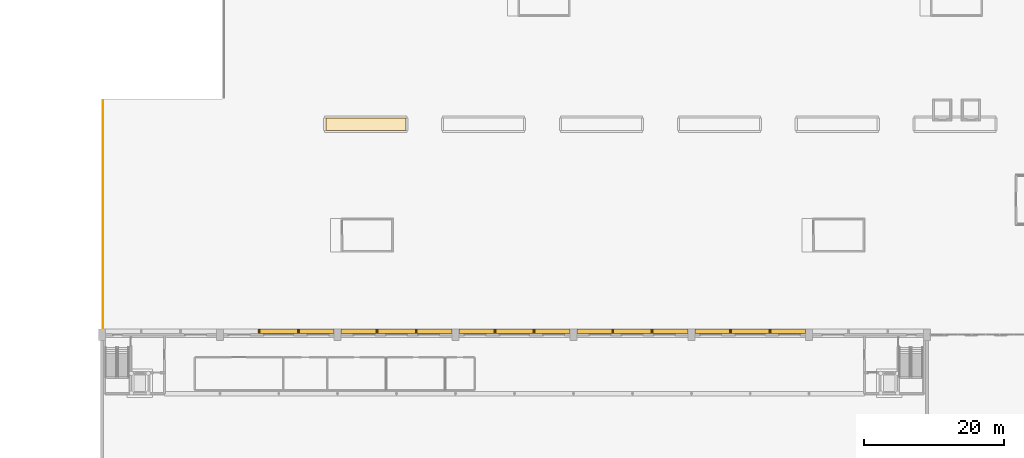
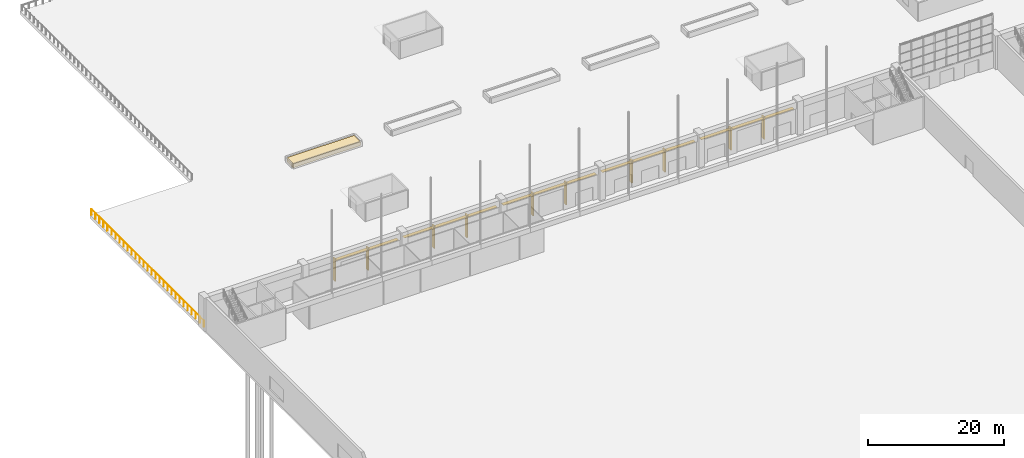
# One storey, part 199 of 210: 14 shading devices, 11 coverings, 1 railing.
"""IFC4 building model written with IfcOpenShell, lengths in metres."""

from ifc_helpers import new_model, si_unit, direction, frame, origin, origin_2d, place, context, subcontext, project, spatial, rectangle, circle, extrude, material, layer, layer_set, type_object, element, save


model = new_model("IFC4")

# Units and contexts
model_context = context("Model", 3, precision=1e-05, world=origin(), true_north=direction((0.0, 1.0)))
body_context = subcontext(model_context, "Body", "Model", "MODEL_VIEW")
ifc_project = project(units=[si_unit("LENGTHUNIT", "METRE"), si_unit("AREAUNIT", "SQUARE_METRE"), si_unit("VOLUMEUNIT", "CUBIC_METRE"), si_unit("PLANEANGLEUNIT", "RADIAN"), si_unit("MASSUNIT", "GRAM", prefix="KILO")], contexts=[model_context])

# Site, building, storey
site_placement = place(None, origin())
site = spatial("IfcSite", under=ifc_project, at=site_placement, CompositionType="ELEMENT")
building_placement = place(site_placement, origin())
building = spatial("IfcBuilding", under=site, at=building_placement, Name="Rain Tree Exposition and Congress Centre", CompositionType="ELEMENT")
storey_placement = place(building_placement, origin())
storey = spatial("IfcBuildingStorey", under=building, at=storey_placement, Name="L00", CompositionType="ELEMENT", Elevation=0.0)

# Railing
ifc_material_1 = material(Name="Stainless steel", Category="steel")
railing_type = type_object("IfcRailingType", Name="Guard 1100 stainless", PredefinedType="GUARDRAIL", material=ifc_material_1)
railing_placement = place(storey_placement, frame((8.550048828125, 202.0, 0.0)))
element("IfcRailing", 1, at=railing_placement, inside=storey, type_object=railing_type, Name="North deck edge guard apron-west", PredefinedType="GUARDRAIL", context=body_context, shape_type="SweptSolid", body=[
    extrude(circle(Radius=0.02490234375, at=origin_2d()), frame((0.0, 0.0, 1.0751953125), z_axis=(0.0, 1.0, 0.0), x_axis=(-1.0, 0.0, 0.0)), (0.0, 0.0, 1.0), 33.0),
    extrude(circle(Radius=0.02490234375, at=origin_2d()), origin(), (0.0, 0.0, 1.0), 1.050048828125),
    extrude(circle(Radius=0.02490234375, at=origin_2d()), frame((0.0, 1.178466796875, 0.0)), (0.0, 0.0, 1.0), 1.050048828125),
    extrude(circle(Radius=0.02490234375, at=origin_2d()), frame((0.0, 2.357177734375, 0.0)), (0.0, 0.0, 1.0), 1.050048828125),
    extrude(circle(Radius=0.02490234375, at=origin_2d()), frame((0.0, 3.53564453125, 0.0)), (0.0, 0.0, 1.0), 1.050048828125),
    extrude(circle(Radius=0.02490234375, at=origin_2d()), frame((0.0, 4.71435546875, 0.0)), (0.0, 0.0, 1.0), 1.050048828125),
    extrude(circle(Radius=0.02490234375, at=origin_2d()), frame((0.0, 5.892822265625, 0.0)), (0.0, 0.0, 1.0), 1.050048828125),
    extrude(circle(Radius=0.02490234375, at=origin_2d()), frame((0.0, 7.071533203125, 0.0)), (0.0, 0.0, 1.0), 1.050048828125),
    extrude(circle(Radius=0.02490234375, at=origin_2d()), frame((0.0, 8.25, 0.0)), (0.0, 0.0, 1.0), 1.050048828125),
    extrude(circle(Radius=0.02490234375, at=origin_2d()), frame((0.0, 9.428466796875, 0.0)), (0.0, 0.0, 1.0), 1.050048828125),
    extrude(circle(Radius=0.02490234375, at=origin_2d()), frame((0.0, 10.607177734375, 0.0)), (0.0, 0.0, 1.0), 1.050048828125),
    extrude(circle(Radius=0.02490234375, at=origin_2d()), frame((0.0, 11.78564453125, 0.0)), (0.0, 0.0, 1.0), 1.050048828125),
    extrude(circle(Radius=0.02490234375, at=origin_2d()), frame((0.0, 12.96435546875, 0.0)), (0.0, 0.0, 1.0), 1.050048828125),
    extrude(circle(Radius=0.02490234375, at=origin_2d()), frame((0.0, 14.142822265625, 0.0)), (0.0, 0.0, 1.0), 1.050048828125),
    extrude(circle(Radius=0.02490234375, at=origin_2d()), frame((0.0, 15.321533203125, 0.0)), (0.0, 0.0, 1.0), 1.050048828125),
    extrude(circle(Radius=0.02490234375, at=origin_2d()), frame((0.0, 16.5, 0.0)), (0.0, 0.0, 1.0), 1.050048828125),
    extrude(circle(Radius=0.02490234375, at=origin_2d()), frame((0.0, 17.678466796875, 0.0)), (0.0, 0.0, 1.0), 1.050048828125),
    extrude(circle(Radius=0.02490234375, at=origin_2d()), frame((0.0, 18.857177734375, 0.0)), (0.0, 0.0, 1.0), 1.050048828125),
    extrude(circle(Radius=0.02490234375, at=origin_2d()), frame((0.0, 20.03564453125, 0.0)), (0.0, 0.0, 1.0), 1.050048828125),
    extrude(circle(Radius=0.02490234375, at=origin_2d()), frame((0.0, 21.21435546875, 0.0)), (0.0, 0.0, 1.0), 1.050048828125),
    extrude(circle(Radius=0.02490234375, at=origin_2d()), frame((0.0, 22.392822265625, 0.0)), (0.0, 0.0, 1.0), 1.050048828125),
    extrude(circle(Radius=0.02490234375, at=origin_2d()), frame((0.0, 23.571533203125, 0.0)), (0.0, 0.0, 1.0), 1.050048828125),
    extrude(circle(Radius=0.02490234375, at=origin_2d()), frame((0.0, 24.75, 0.0)), (0.0, 0.0, 1.0), 1.050048828125),
    extrude(circle(Radius=0.02490234375, at=origin_2d()), frame((0.0, 25.928466796875, 0.0)), (0.0, 0.0, 1.0), 1.050048828125),
    extrude(circle(Radius=0.02490234375, at=origin_2d()), frame((0.0, 27.107177734375, 0.0)), (0.0, 0.0, 1.0), 1.050048828125),
    extrude(circle(Radius=0.02490234375, at=origin_2d()), frame((0.0, 28.28564453125, 0.0)), (0.0, 0.0, 1.0), 1.050048828125),
    extrude(circle(Radius=0.02490234375, at=origin_2d()), frame((0.0, 29.46435546875, 0.0)), (0.0, 0.0, 1.0), 1.050048828125),
    extrude(circle(Radius=0.02490234375, at=origin_2d()), frame((0.0, 30.642822265625, 0.0)), (0.0, 0.0, 1.0), 1.050048828125),
    extrude(circle(Radius=0.02490234375, at=origin_2d()), frame((0.0, 31.821533203125, 0.0)), (0.0, 0.0, 1.0), 1.050048828125),
    extrude(circle(Radius=0.02490234375, at=origin_2d()), frame((0.0, 33.0, 0.0)), (0.0, 0.0, 1.0), 1.050048828125),
])

# Coverings
ifc_material_2 = material(Name="Precast concrete C50/60", Category="concrete")
ifc_layer_1 = layer(ifc_material_2, 0.199951171875)
ifc_layer_set_1 = layer_set([ifc_layer_1], Name="Precast concrete C50/60")
covering_type_1 = type_object("IfcCoveringType", Name="North face fin 200x600", PredefinedType="CLADDING", material=ifc_layer_set_1)
for number, where, z_axis, x_axis, name in (
    (2, (30.800048828125, 202.10009765625, 0.4501953125), (0.0, 0.0, 1.0), (1.0, 0.0, 0.0), "Facade fin N2.1"),
    (3, (36.39990234375, 202.10009765625, 0.4501953125), (0.0, 0.0, 1.0), (1.0, 0.0, 0.0), "Facade fin N2.2"),
    (4, (47.60009765625, 202.10009765625, 0.4501953125), (0.0, 0.0, 1.0), (1.0, 0.0, 0.0), "Facade fin N3.1"),
    (5, (53.199951171875, 202.10009765625, 0.4501953125), (0.0, 0.0, 1.0), (1.0, 0.0, 0.0), "Facade fin N3.2"),
    (6, (64.39990234375, 202.10009765625, 0.4501953125), (0.0, 0.0, 1.0), (1.0, 0.0, 0.0), "Facade fin N4.1"),
    (7, (70.0, 202.10009765625, 0.4501953125), (0.0, 0.0, 1.0), (1.0, 0.0, 0.0), "Facade fin N4.2"),
    (8, (81.199951171875, 202.10009765625, 0.4501953125), (0.0, 0.0, 1.0), (1.0, 0.0, 0.0), "Facade fin N5.1"),
    (9, (86.800048828125, 202.10009765625, 0.4501953125), (0.0, 0.0, 1.0), (1.0, 0.0, 0.0), "Facade fin N5.2"),
    (10, (98.0, 202.10009765625, 0.4501953125), (0.0, 0.0, 1.0), (1.0, 0.0, 0.0), "Facade fin N6.1"),
    (11, (103.60009765625, 202.10009765625, 0.4501953125), (0.0, 0.0, 1.0), (1.0, 0.0, 0.0), "Facade fin N6.2"),
):
    element("IfcCovering", number, at=place(storey_placement, frame(where, z_axis=z_axis, x_axis=x_axis)), inside=storey, type_object=covering_type_1, Name=name, PredefinedType="CLADDING", context=body_context, shape_type="SweptSolid", body=[
        extrude(rectangle(XDim=0.199951171875, YDim=0.60009765625, at=origin_2d()), origin(), (0.0, 0.0, 1.0), 4.050048828125),
    ])
ifc_material_3 = material(Name="Planting substrate", Category="soil")
ifc_layer_2 = layer(ifc_material_3, 0.75)
ifc_layer_set_2 = layer_set([ifc_layer_2], Name="Planting substrate")
covering_type_2 = type_object("IfcCoveringType", Name="Planting bed substrate 750", PredefinedType="FLOORING", material=ifc_layer_set_2)
covering_placement = place(storey_placement, frame((46.0, 231.60009765625, 0.0), z_axis=(0.0, 0.0, 1.0), x_axis=(1.0, 0.0, 0.0)))
element("IfcCovering", 12, at=covering_placement, inside=storey, type_object=covering_type_2, Name="Planting bed", PredefinedType="FLOORING", context=body_context, shape_type="SweptSolid", body=[
    extrude(rectangle(XDim=11.39990234375, YDim=1.800048828125, at=origin_2d()), origin(), (0.0, 0.0, 1.0), 0.75),
])

# Shading devices
ifc_material_4 = material(Name="Aluminium", Category="aluminium")
ifc_layer_3 = layer(ifc_material_4, 0.06005859375)
ifc_layer_set_3 = layer_set([ifc_layer_3], Name="Aluminium")
shading_device_type = type_object("IfcShadingDeviceType", Name="Sun blade 60x600", PredefinedType="JALOUSIE", material=ifc_layer_set_3)
shading_device_1_placement = place(storey_placement, frame((33.60009765625, 202.10009765625, 4.099853515625), z_axis=(0.0, 0.0, 1.0), x_axis=(1.0, 0.0, 0.0)))
element("IfcShadingDevice", 13, at=shading_device_1_placement, inside=storey, type_object=shading_device_type, Name="Sun blade N2.2.1", PredefinedType="JALOUSIE", context=body_context, shape_type="SweptSolid", body=[
    extrude(rectangle(XDim=5.39990234375, YDim=0.60009765625, at=origin_2d()), origin(), (0.0, 0.0, 1.0), 0.06005859375),
])
for number, where, z_axis, x_axis, name in (
    (14, (39.0, 202.10009765625, 4.099853515625), (0.0, 0.0, 1.0), (1.0, 0.0, 0.0), "Sun blade N2.3.1"),
    (15, (45.0, 202.10009765625, 4.099853515625), (0.0, 0.0, 1.0), (1.0, 0.0, 0.0), "Sun blade N3.1.1"),
):
    element("IfcShadingDevice", number, at=place(storey_placement, frame(where, z_axis=z_axis, x_axis=x_axis)), inside=storey, type_object=shading_device_type, Name=name, PredefinedType="JALOUSIE", context=body_context, shape_type="SweptSolid", body=[
        extrude(rectangle(XDim=5.0, YDim=0.60009765625, at=origin_2d()), origin(), (0.0, 0.0, 1.0), 0.06005859375),
    ])
shading_device_2_placement = place(storey_placement, frame((50.39990234375, 202.10009765625, 4.099853515625), z_axis=(0.0, 0.0, 1.0), x_axis=(1.0, 0.0, 0.0)))
element("IfcShadingDevice", 16, at=shading_device_2_placement, inside=storey, type_object=shading_device_type, Name="Sun blade N3.2.1", PredefinedType="JALOUSIE", context=body_context, shape_type="SweptSolid", body=[
    extrude(rectangle(XDim=5.39990234375, YDim=0.60009765625, at=origin_2d()), origin(), (0.0, 0.0, 1.0), 0.06005859375),
])
for number, where, z_axis, x_axis, name in (
    (17, (55.800048828125, 202.10009765625, 4.099853515625), (0.0, 0.0, 1.0), (1.0, 0.0, 0.0), "Sun blade N3.3.1"),
    (18, (61.800048828125, 202.10009765625, 4.099853515625), (0.0, 0.0, 1.0), (1.0, 0.0, 0.0), "Sun blade N4.1.1"),
):
    element("IfcShadingDevice", number, at=place(storey_placement, frame(where, z_axis=z_axis, x_axis=x_axis)), inside=storey, type_object=shading_device_type, Name=name, PredefinedType="JALOUSIE", context=body_context, shape_type="SweptSolid", body=[
        extrude(rectangle(XDim=5.0, YDim=0.60009765625, at=origin_2d()), origin(), (0.0, 0.0, 1.0), 0.06005859375),
    ])
shading_device_3_placement = place(storey_placement, frame((67.199951171875, 202.10009765625, 4.099853515625), z_axis=(0.0, 0.0, 1.0), x_axis=(1.0, 0.0, 0.0)))
element("IfcShadingDevice", 19, at=shading_device_3_placement, inside=storey, type_object=shading_device_type, Name="Sun blade N4.2.1", PredefinedType="JALOUSIE", context=body_context, shape_type="SweptSolid", body=[
    extrude(rectangle(XDim=5.39990234375, YDim=0.60009765625, at=origin_2d()), origin(), (0.0, 0.0, 1.0), 0.06005859375),
])
for number, where, z_axis, x_axis, name in (
    (20, (72.60009765625, 202.10009765625, 4.099853515625), (0.0, 0.0, 1.0), (1.0, 0.0, 0.0), "Sun blade N4.3.1"),
    (21, (78.60009765625, 202.10009765625, 4.099853515625), (0.0, 0.0, 1.0), (1.0, 0.0, 0.0), "Sun blade N5.1.1"),
):
    element("IfcShadingDevice", number, at=place(storey_placement, frame(where, z_axis=z_axis, x_axis=x_axis)), inside=storey, type_object=shading_device_type, Name=name, PredefinedType="JALOUSIE", context=body_context, shape_type="SweptSolid", body=[
        extrude(rectangle(XDim=5.0, YDim=0.60009765625, at=origin_2d()), origin(), (0.0, 0.0, 1.0), 0.06005859375),
    ])
shading_device_4_placement = place(storey_placement, frame((84.0, 202.10009765625, 4.099853515625), z_axis=(0.0, 0.0, 1.0), x_axis=(1.0, 0.0, 0.0)))
element("IfcShadingDevice", 22, at=shading_device_4_placement, inside=storey, type_object=shading_device_type, Name="Sun blade N5.2.1", PredefinedType="JALOUSIE", context=body_context, shape_type="SweptSolid", body=[
    extrude(rectangle(XDim=5.39990234375, YDim=0.60009765625, at=origin_2d()), origin(), (0.0, 0.0, 1.0), 0.06005859375),
])
for number, where, z_axis, x_axis, name in (
    (23, (89.39990234375, 202.10009765625, 4.099853515625), (0.0, 0.0, 1.0), (1.0, 0.0, 0.0), "Sun blade N5.3.1"),
    (24, (95.39990234375, 202.10009765625, 4.099853515625), (0.0, 0.0, 1.0), (1.0, 0.0, 0.0), "Sun blade N6.1.1"),
):
    element("IfcShadingDevice", number, at=place(storey_placement, frame(where, z_axis=z_axis, x_axis=x_axis)), inside=storey, type_object=shading_device_type, Name=name, PredefinedType="JALOUSIE", context=body_context, shape_type="SweptSolid", body=[
        extrude(rectangle(XDim=5.0, YDim=0.60009765625, at=origin_2d()), origin(), (0.0, 0.0, 1.0), 0.06005859375),
    ])
shading_device_5_placement = place(storey_placement, frame((100.800048828125, 202.10009765625, 4.099853515625), z_axis=(0.0, 0.0, 1.0), x_axis=(1.0, 0.0, 0.0)))
element("IfcShadingDevice", 25, at=shading_device_5_placement, inside=storey, type_object=shading_device_type, Name="Sun blade N6.2.1", PredefinedType="JALOUSIE", context=body_context, shape_type="SweptSolid", body=[
    extrude(rectangle(XDim=5.39990234375, YDim=0.60009765625, at=origin_2d()), origin(), (0.0, 0.0, 1.0), 0.06005859375),
])
shading_device_6_placement = place(storey_placement, frame((106.199951171875, 202.10009765625, 4.099853515625), z_axis=(0.0, 0.0, 1.0), x_axis=(1.0, 0.0, 0.0)))
element("IfcShadingDevice", 26, at=shading_device_6_placement, inside=storey, type_object=shading_device_type, Name="Sun blade N6.3.1", PredefinedType="JALOUSIE", context=body_context, shape_type="SweptSolid", body=[
    extrude(rectangle(XDim=5.0, YDim=0.60009765625, at=origin_2d()), origin(), (0.0, 0.0, 1.0), 0.06005859375),
])

save(model, "model.ifc")
